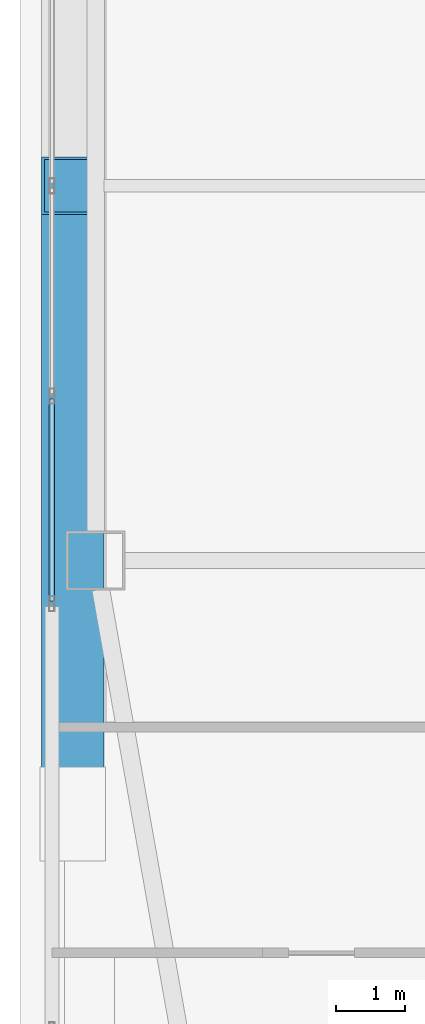
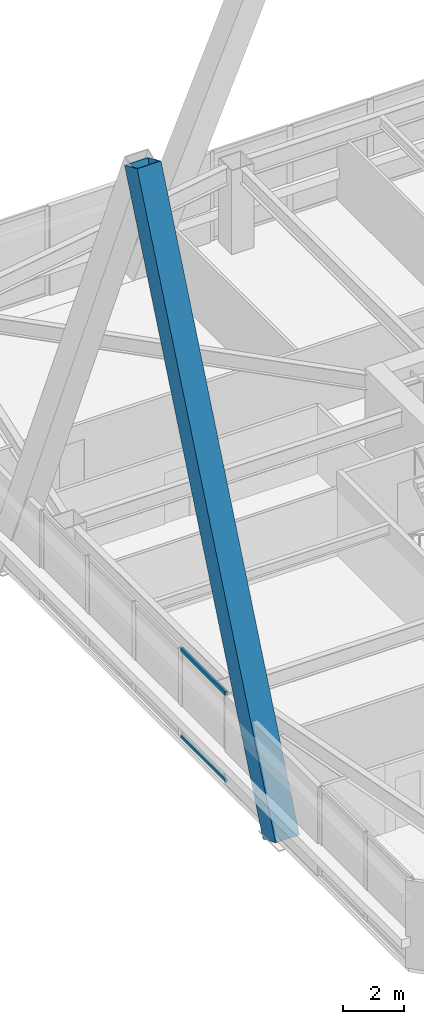
# One storey, part 9 of 54: 3 members, 1 element without a shape of its own.
"""IFC4 building model written with IfcOpenShell, lengths in metres."""

from ifc_helpers import new_model, si_unit, direction, frame, origin, origin_2d, place, context, subcontext, project, spatial, hollow_rectangle, extrude, material, material_profile, profile_set, type_object, element, aggregate, save


model = new_model("IFC4")

# Units and contexts
model_context = context("Model", 3, precision=1e-05, world=origin(), true_north=direction((0.0, 1.0)))
body_context = subcontext(model_context, "Body", "Model", "MODEL_VIEW")
ifc_project = project(units=[si_unit("LENGTHUNIT", "METRE"), si_unit("AREAUNIT", "SQUARE_METRE"), si_unit("VOLUMEUNIT", "CUBIC_METRE"), si_unit("PLANEANGLEUNIT", "RADIAN"), si_unit("MASSUNIT", "GRAM", prefix="KILO")], contexts=[model_context])

# Site, building, storey
site_placement = place(None, origin())
site = spatial("IfcSite", under=ifc_project, at=site_placement, CompositionType="ELEMENT")
building_placement = place(site_placement, origin())
building = spatial("IfcBuilding", under=site, at=building_placement, Name="Tashvorn Skyway Center", CompositionType="ELEMENT")
storey_placement = place(building_placement, frame((0.0, 0.0, 88.5)))
storey = spatial("IfcBuildingStorey", under=building, at=storey_placement, Name="L23", CompositionType="ELEMENT", Elevation=88.5)

# Curtain wall, members
ifc_material_1 = material(Name="Thermally broken bronze-anodized aluminium 6063-T6", Category="aluminium")
curtain_wall_type = type_object("IfcCurtainWallType", Name="CW-CW-Z2", PredefinedType="NOTDEFINED", material=ifc_material_1)
curtain_wall_placement = place(storey_placement, origin())
curtain_wall = element("IfcCurtainWall", 1, at=curtain_wall_placement, inside=storey, type_object=curtain_wall_type, Name="Tower 1 L23 West Unitised Curtain Wall Glazing Group 2", PredefinedType="NOTDEFINED")
ifc_material_profile_1 = material_profile(ifc_material_1, hollow_rectangle(XDim=0.080078125, YDim=0.14990234375, WallThickness=0.00439453125, at=origin_2d()), Name="ALU-TRAN-80x150")
ifc_profile_set_1 = profile_set([ifc_material_profile_1], Name="Thermally broken bronze-anodized aluminium 6063-T6")
member_type_1 = type_object("IfcMemberType", Name="CWT-CW-Z2", PredefinedType="USERDEFINED", material=ifc_profile_set_1)
member_1_placement = place(storey_placement, frame((21.02001953125, 26.02001953125, 0.0400390625), z_axis=(0.0, 1.0, 0.0), x_axis=(-1.0, 0.0, 0.0)))
member_1 = element("IfcMember", 2, at=member_1_placement, type_object=member_type_1, Name="CW-Z2 transom 1.1", ObjectType="TRANSOM", PredefinedType="USERDEFINED", context=body_context, shape_type="SweptSolid", body=[
    extrude(hollow_rectangle(XDim=0.080078125, YDim=0.14990234375, WallThickness=0.00439453125, at=origin_2d()), origin(), (0.0, 0.0, 1.0), 2.909912109375),
])
member_2_placement = place(storey_placement, frame((21.02001953125, 26.02001953125, 3.510009765625), z_axis=(0.0, 1.0, 0.0), x_axis=(-1.0, 0.0, 0.0)))
member_2 = element("IfcMember", 3, at=member_2_placement, type_object=member_type_1, Name="CW-Z2 transom 1.2", ObjectType="TRANSOM", PredefinedType="USERDEFINED", context=body_context, shape_type="SweptSolid", body=[
    extrude(hollow_rectangle(XDim=0.080078125, YDim=0.14990234375, WallThickness=0.00439453125, at=origin_2d()), origin(), (0.0, 0.0, 1.0), 2.909912109375),
])
aggregate(curtain_wall, [member_1, member_2])

# Member
ifc_material_2 = material(Name="Steel ASTM A572 Grade 50", Category="steel")
ifc_material_profile_2 = material_profile(ifc_material_2, hollow_rectangle(XDim=0.89990234375, YDim=0.89990234375, WallThickness=0.0400390625, at=origin_2d()), Name="BOX900x900x40")
ifc_profile_set_2 = profile_set([ifc_material_profile_2], Name="Steel ASTM A572 Grade 50")
member_type_2 = type_object("IfcMemberType", Name="MEM-MB-900", PredefinedType="BRACE", material=ifc_profile_set_2)
member_3_placement = place(storey_placement, frame((21.320068359375, 22.949951171875, -0.449951171875), z_axis=(0.0, 0.389502874724, 0.921025249698), x_axis=(-1.0, 0.0, 0.0)))
element("IfcMember", 4, at=member_3_placement, inside=storey, type_object=member_type_2, Name="Tower 1 Zone 2 W Chevron Mega-Brace R2", PredefinedType="BRACE", context=body_context, shape_type="SweptSolid", body=[
    extrude(hollow_rectangle(XDim=0.89990234375, YDim=0.89990234375, WallThickness=0.0400390625, at=origin_2d()), origin(), (0.0, 0.0, 1.0), 23.23486328125),
])

save(model, "model.ifc")
